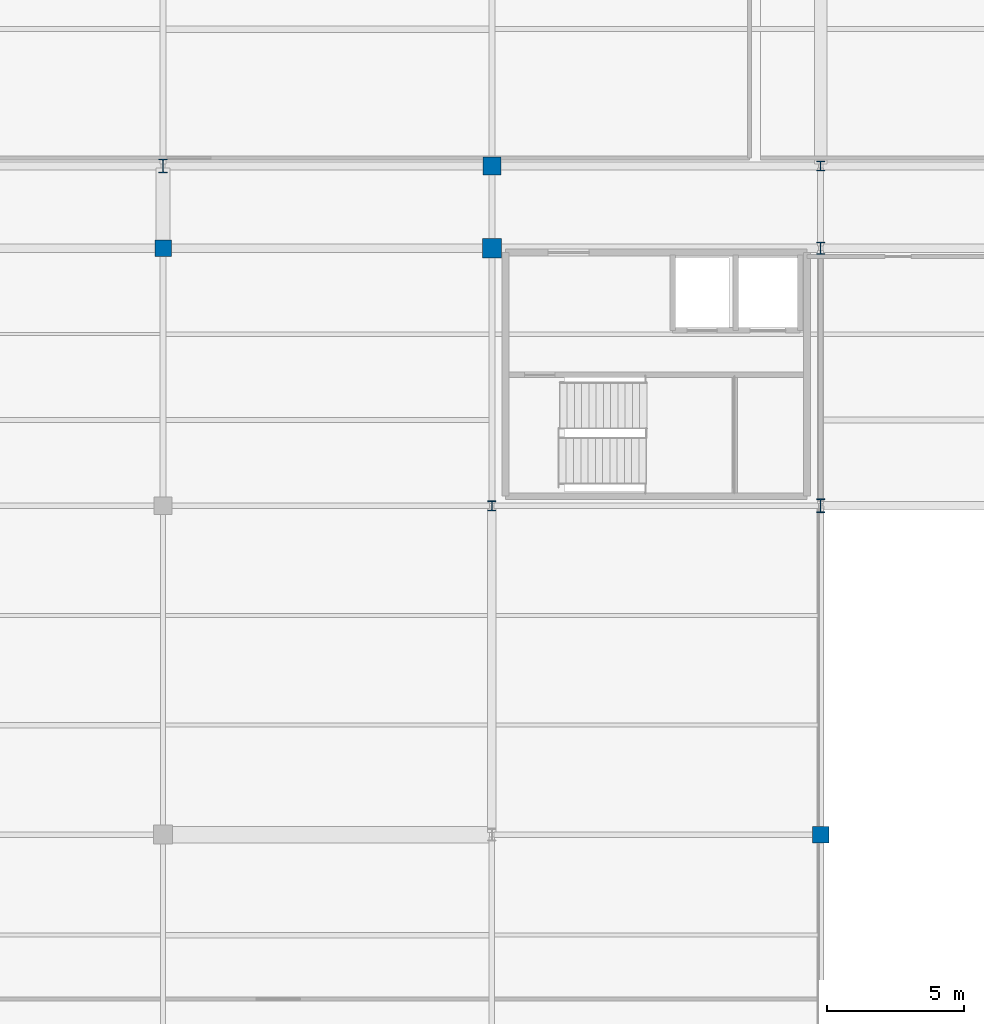
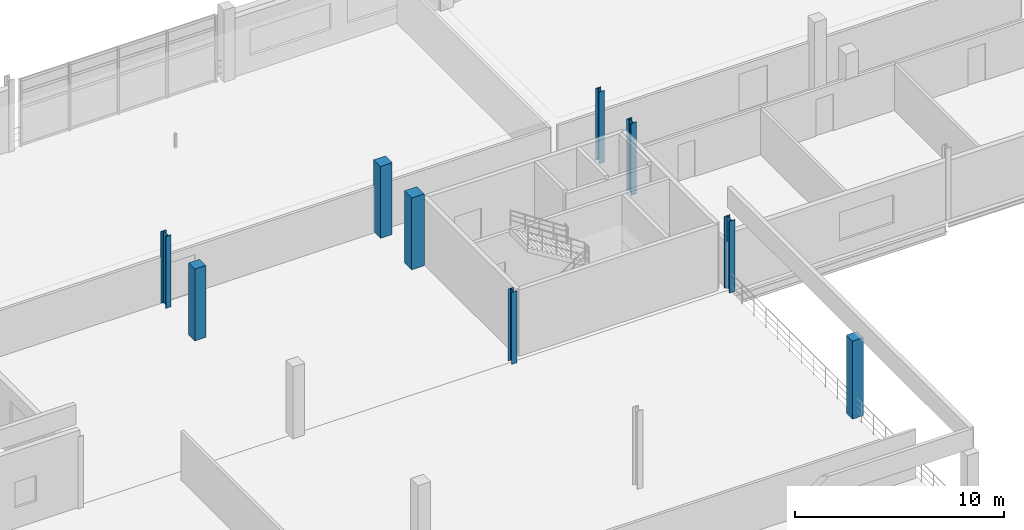
# One storey, part 12 of 89: 9 columns.
"""IFC4 building model written with IfcOpenShell, lengths in metres."""

from ifc_helpers import new_model, si_unit, direction, frame, origin, origin_2d, place, context, subcontext, project, spatial, rectangle, i_section, extrude, material, material_profile, profile_set, type_object, element, save


model = new_model("IFC4")

# Units and contexts
model_context = context("Model", 3, precision=1e-05, world=origin(), true_north=direction((0.0, 1.0)))
body_context = subcontext(model_context, "Body", "Model", "MODEL_VIEW")
ifc_project = project(units=[si_unit("LENGTHUNIT", "METRE"), si_unit("AREAUNIT", "SQUARE_METRE"), si_unit("VOLUMEUNIT", "CUBIC_METRE"), si_unit("PLANEANGLEUNIT", "RADIAN"), si_unit("MASSUNIT", "GRAM", prefix="KILO"), si_unit("THERMODYNAMICTEMPERATUREUNIT", "KELVIN"), si_unit("POWERUNIT", "WATT")], contexts=[model_context])

# Site, building, storey
site_placement = place(None, origin())
site = spatial("IfcSite", under=ifc_project, at=site_placement, CompositionType="ELEMENT")
building_placement = place(site_placement, origin())
building = spatial("IfcBuilding", under=site, at=building_placement, Name="Solmara Park Aquatics Centre", CompositionType="ELEMENT")
storey_placement = place(building_placement, frame((0.0, 0.0, 5.39990234375)))
storey = spatial("IfcBuildingStorey", under=building, at=storey_placement, Name="L01", CompositionType="ELEMENT", Elevation=5.39990234375)

# Columns
ifc_material_1 = material(Name="Structural Steel S355", Category="steel")
ifc_material_profile_1 = material_profile(ifc_material_1, i_section(OverallWidth=0.300048828125, OverallDepth=0.449951171875, WebThickness=0.013916015625, FlangeThickness=0.02587890625, FilletRadius=0.027099609375, at=origin_2d()), Name="HEB 450")
ifc_profile_set_1 = profile_set([ifc_material_profile_1], Name="Structural Steel S355")
column_type_1 = type_object("IfcColumnType", Name="STR-COL-HEB450", PredefinedType="COLUMN", material=ifc_profile_set_1)
column_1_placement = place(storey_placement, frame((60.60009765625, 118.0, 0.0), z_axis=(0.0, 0.0, 1.0), x_axis=(1.0, 0.0, 0.0)))
element("IfcColumn", 1, at=column_1_placement, inside=storey, type_object=column_type_1, Name="Column L01-0365", PredefinedType="COLUMN", context=body_context, shape_type="SweptSolid", body=[
    extrude(i_section(OverallWidth=0.300048828125, OverallDepth=0.449951171875, WebThickness=0.013916015625, FlangeThickness=0.02587890625, FilletRadius=0.027099609375, at=origin_2d()), origin(), (0.0, 0.0, 1.0), 4.2001953125),
])
ifc_material_profile_2 = material_profile(ifc_material_1, i_section(OverallWidth=0.300048828125, OverallDepth=0.5, WebThickness=0.014404296875, FlangeThickness=0.028076171875, FilletRadius=0.027099609375, at=origin_2d()), Name="HEB 500")
ifc_profile_set_2 = profile_set([ifc_material_profile_2], Name="Structural Steel S355")
column_type_2 = type_object("IfcColumnType", Name="STR-COL-HEB500", PredefinedType="COLUMN", material=ifc_profile_set_2)
for number, where, z_axis, x_axis, name in (
    (2, (36.60009765625, 121.0, 0.0), (0.0, 0.0, 1.0), (1.0, 0.0, 0.0), "Column L01-0346"),
    (3, (60.60009765625, 108.60009765625, 0.0), (0.0, 0.0, 1.0), (1.0, 0.0, 0.0), "Column L01-0364"),
):
    element("IfcColumn", number, at=place(storey_placement, frame(where, z_axis=z_axis, x_axis=x_axis)), inside=storey, type_object=column_type_2, Name=name, PredefinedType="COLUMN", context=body_context, shape_type="SweptSolid", body=[
        extrude(i_section(OverallWidth=0.300048828125, OverallDepth=0.5, WebThickness=0.014404296875, FlangeThickness=0.028076171875, FilletRadius=0.027099609375, at=origin_2d()), origin(), (0.0, 0.0, 1.0), 4.2001953125),
    ])
ifc_material_2 = material(Name="Concrete C40/50", Category="concrete")
ifc_material_profile_3 = material_profile(ifc_material_2, rectangle(XDim=0.60009765625, YDim=0.60009765625, at=origin_2d()), Name="RC 600x600")
ifc_profile_set_3 = profile_set([ifc_material_profile_3], Name="Concrete C40/50")
column_type_3 = type_object("IfcColumnType", Name="STR-COL-RC600", PredefinedType="COLUMN", material=ifc_profile_set_3)
column_2_placement = place(storey_placement, frame((36.60009765625, 118.0, 0.0), z_axis=(0.0, 0.0, 1.0), x_axis=(1.0, 0.0, 0.0)))
element("IfcColumn", 4, at=column_2_placement, inside=storey, type_object=column_type_3, Name="Column L01-0345", PredefinedType="COLUMN", context=body_context, shape_type="SweptSolid", body=[
    extrude(rectangle(XDim=0.60009765625, YDim=0.60009765625, at=origin_2d()), origin(), (0.0, 0.0, 1.0), 4.2001953125),
])
column_3_placement = place(storey_placement, frame((60.60009765625, 96.60009765625, 0.0), z_axis=(0.0, 0.0, 1.0), x_axis=(1.0, 0.0, 0.0)))
element("IfcColumn", 5, at=column_3_placement, inside=storey, type_object=column_type_3, Name="Column L01-0363", PredefinedType="COLUMN", context=body_context, shape_type="SweptSolid", body=[
    extrude(rectangle(XDim=0.60009765625, YDim=0.60009765625, at=origin_2d()), origin(), (0.0, 0.0, 1.0), 4.56005859375),
])
ifc_material_profile_4 = material_profile(ifc_material_2, rectangle(XDim=0.64990234375, YDim=0.64990234375, at=origin_2d()), Name="RC 650x650")
ifc_profile_set_4 = profile_set([ifc_material_profile_4], Name="Concrete C40/50")
column_type_4 = type_object("IfcColumnType", Name="STR-COL-RC650", PredefinedType="COLUMN", material=ifc_profile_set_4)
column_4_placement = place(storey_placement, frame((48.60009765625, 121.0, 0.0), z_axis=(0.0, 0.0, 1.0), x_axis=(1.0, 0.0, 0.0)))
element("IfcColumn", 6, at=column_4_placement, inside=storey, type_object=column_type_4, Name="Column L01-0356", PredefinedType="COLUMN", context=body_context, shape_type="SweptSolid", body=[
    extrude(rectangle(XDim=0.64990234375, YDim=0.64990234375, at=origin_2d()), origin(), (0.0, 0.0, 1.0), 4.2001953125),
])
ifc_material_profile_5 = material_profile(ifc_material_2, rectangle(XDim=0.699951171875, YDim=0.699951171875, at=origin_2d()), Name="RC 700x700")
ifc_profile_set_5 = profile_set([ifc_material_profile_5], Name="Concrete C40/50")
column_type_5 = type_object("IfcColumnType", Name="STR-COL-RC700", PredefinedType="COLUMN", material=ifc_profile_set_5)
column_5_placement = place(storey_placement, frame((48.60009765625, 118.0, 0.0), z_axis=(0.0, 0.0, 1.0), x_axis=(1.0, 0.0, 0.0)))
element("IfcColumn", 7, at=column_5_placement, inside=storey, type_object=column_type_5, Name="Column L01-0355", PredefinedType="COLUMN", context=body_context, shape_type="SweptSolid", body=[
    extrude(rectangle(XDim=0.699951171875, YDim=0.699951171875, at=origin_2d()), origin(), (0.0, 0.0, 1.0), 4.2001953125),
])
ifc_material_profile_6 = material_profile(ifc_material_1, i_section(OverallWidth=0.300048828125, OverallDepth=0.360107421875, WebThickness=0.012451171875, FlangeThickness=0.0224609375, FilletRadius=0.027099609375, at=origin_2d()), Name="HEB 360")
ifc_profile_set_6 = profile_set([ifc_material_profile_6], Name="Structural Steel S355")
column_type_6 = type_object("IfcColumnType", Name="STR-PIL-HEB360", PredefinedType="PILASTER", material=ifc_profile_set_6)
for number, where, z_axis, x_axis, name in (
    (8, (48.60009765625, 108.60009765625, 0.0), (0.0, 0.0, 1.0), (1.0, 0.0, 0.0), "Column L01-0354"),
    (9, (60.60009765625, 121.0, 0.0), (0.0, 0.0, 1.0), (1.0, 0.0, 0.0), "Column L01-0366"),
):
    element("IfcColumn", number, at=place(storey_placement, frame(where, z_axis=z_axis, x_axis=x_axis)), inside=storey, type_object=column_type_6, Name=name, PredefinedType="PILASTER", context=body_context, shape_type="SweptSolid", body=[
        extrude(i_section(OverallWidth=0.300048828125, OverallDepth=0.360107421875, WebThickness=0.012451171875, FlangeThickness=0.0224609375, FilletRadius=0.027099609375, at=origin_2d()), origin(), (0.0, 0.0, 1.0), 4.2001953125),
    ])

save(model, "model.ifc")
